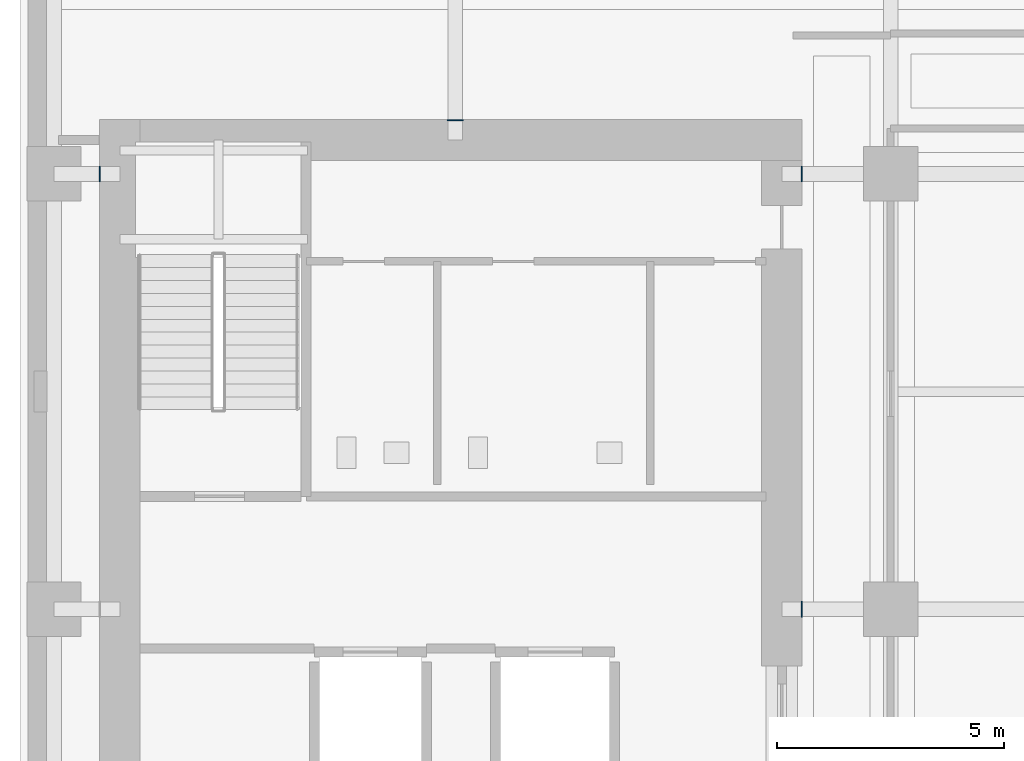
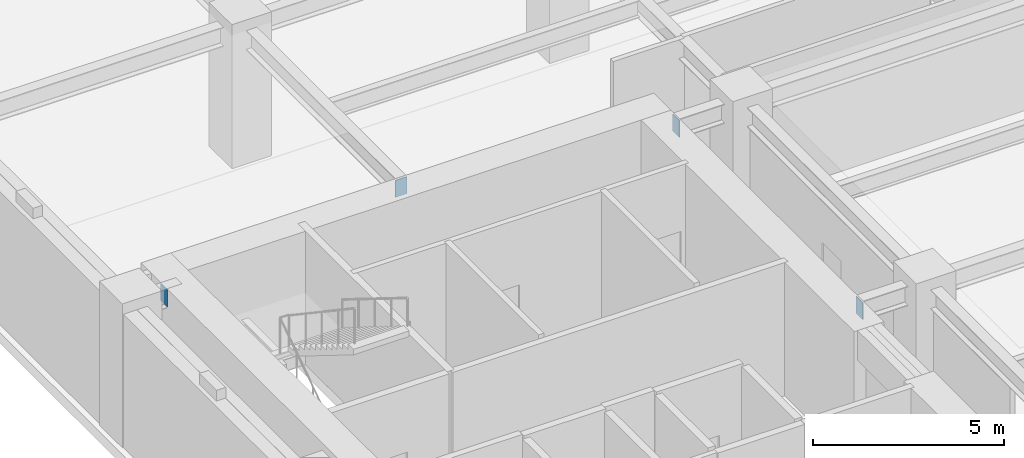
# One storey, part 15 of 24: 4 discrete accessories.
"""IFC4 building model written with IfcOpenShell, lengths in metres."""

from ifc_helpers import new_model, si_unit, direction, frame, origin, origin_2d, place, context, subcontext, project, spatial, rectangle, extrude, material, layer, layer_set, type_object, element, save


model = new_model("IFC4")

# Units and contexts
model_context = context("Model", 3, precision=1e-05, world=origin(), true_north=direction((0.0, 1.0)))
body_context = subcontext(model_context, "Body", "Model", "MODEL_VIEW")
ifc_project = project(units=[si_unit("LENGTHUNIT", "METRE"), si_unit("AREAUNIT", "SQUARE_METRE"), si_unit("VOLUMEUNIT", "CUBIC_METRE"), si_unit("PLANEANGLEUNIT", "RADIAN"), si_unit("MASSUNIT", "GRAM", prefix="KILO")], contexts=[model_context])

# Site, building, storey
site_placement = place(None, origin())
site = spatial("IfcSite", under=ifc_project, at=site_placement, CompositionType="ELEMENT")
building_placement = place(site_placement, origin())
building = spatial("IfcBuilding", under=site, at=building_placement, Name="Norrvale University Quadrangle", CompositionType="ELEMENT")
storey_placement = place(building_placement, frame((0.0, 0.0, 15.0)))
storey = spatial("IfcBuildingStorey", under=building, at=storey_placement, Name="L03", CompositionType="ELEMENT", Elevation=15.0)

# Discrete accessories
ifc_material = material(Name="Steel 350W", Category="steel")
ifc_layer = layer(ifc_material, 0.02490234375, Name="Steel 350W")
ifc_layer_set = layer_set([ifc_layer], Name="Steel 350W")
discrete_accessory_type = type_object("IfcDiscreteAccessoryType", Name="Accessory Cast In Embed Plate", PredefinedType="ANCHORPLATE", material=ifc_layer_set)
for number, where, z_axis, x_axis, name in (
    (1, (17.237548828125, 37.64990234375, 3.679931640625), (0.0, 0.0, 1.0), (1.0, 0.0, 0.0), "Core Wall Cast-in Embed Plate L03-GCE076"),
    (2, (1.762451171875, 47.25, 3.679931640625), (0.0, 0.0, 1.0), (1.0, 0.0, 0.0), "Core Wall Cast-in Embed Plate L03-GCW077"),
    (3, (17.237548828125, 47.25, 3.679931640625), (0.0, 0.0, 1.0), (1.0, 0.0, 0.0), "Core Wall Cast-in Embed Plate L03-GCE078"),
):
    element("IfcDiscreteAccessory", number, at=place(storey_placement, frame(where, z_axis=z_axis, x_axis=x_axis)), inside=storey, type_object=discrete_accessory_type, Name=name, PredefinedType="ANCHORPLATE", context=body_context, shape_type="SweptSolid", body=[
        extrude(rectangle(XDim=0.02490234375, YDim=0.35009765625, at=origin_2d()), origin(), (0.0, 0.0, 1.0), 0.5400390625),
    ])
discrete_accessory_placement = place(storey_placement, frame((9.60009765625, 48.4375, 3.679931640625), z_axis=(0.0, 0.0, 1.0), x_axis=(1.0, 0.0, 0.0)))
element("IfcDiscreteAccessory", 4, at=discrete_accessory_placement, inside=storey, type_object=discrete_accessory_type, Name="Core Wall Cast-in Embed Plate L03-GCN104", PredefinedType="ANCHORPLATE", context=body_context, shape_type="SweptSolid", body=[
    extrude(rectangle(XDim=0.35009765625, YDim=0.02490234375, at=origin_2d()), origin(), (0.0, 0.0, 1.0), 0.5400390625),
])

save(model, "model.ifc")
